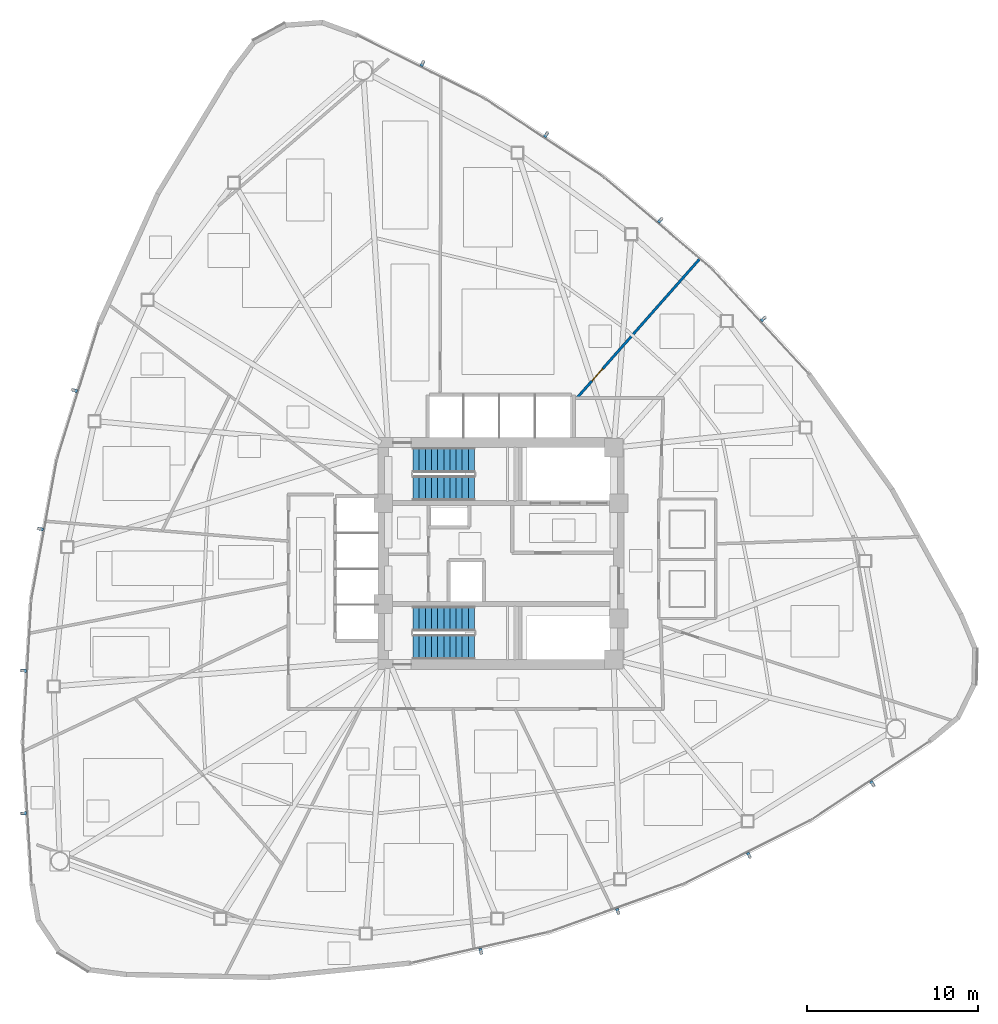
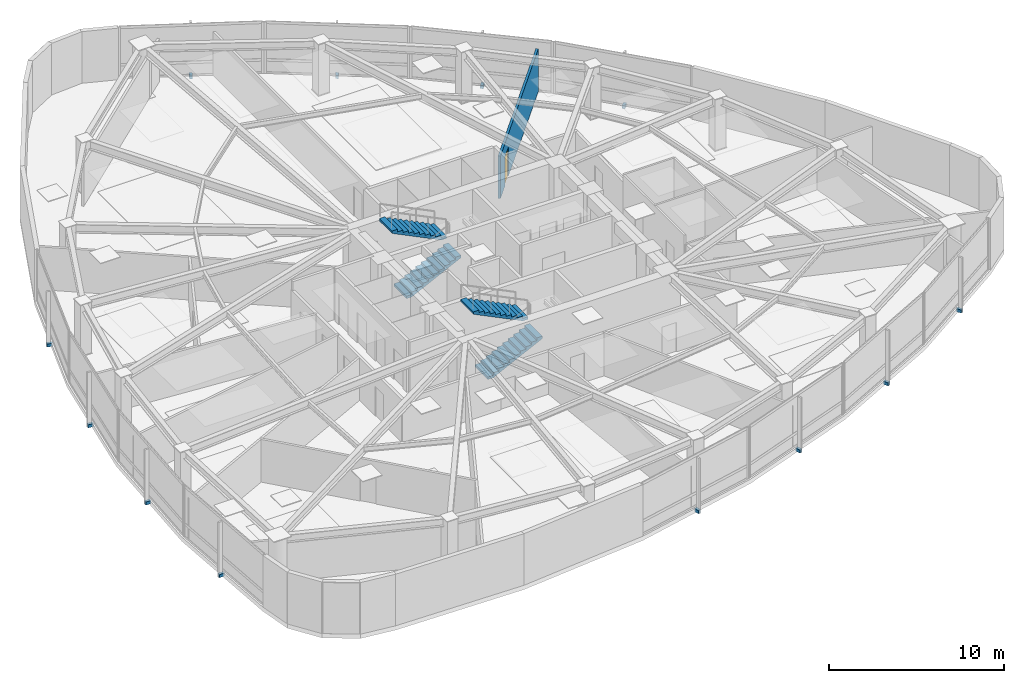
# One storey, part 13 of 17: 12 discrete accessories, 4 stair flights, 1 door, 1 wall, 1 opening, 2 elements without a shape of their own.
"""IFC4 building model written with IfcOpenShell, lengths in metres."""

from ifc_helpers import new_model, si_unit, direction, frame, frame_2d, origin, origin_2d, place, context, subcontext, project, spatial, polyline, rectangle, outline, extrude, source, transform, mapped, material, layer, layer_set, type_object, type_shapes, element, fill, aggregate, save


model = new_model("IFC4")

# Units and contexts
model_context = context("Model", 3, precision=1e-05, world=origin(), true_north=direction((0.0, 1.0)))
body_context = subcontext(model_context, "Body", "Model", "MODEL_VIEW")
ifc_project = project(units=[si_unit("LENGTHUNIT", "METRE"), si_unit("AREAUNIT", "SQUARE_METRE"), si_unit("VOLUMEUNIT", "CUBIC_METRE"), si_unit("PLANEANGLEUNIT", "RADIAN"), si_unit("MASSUNIT", "GRAM", prefix="KILO")], contexts=[model_context])

# Site, building, storey
site_placement = place(None, origin())
site = spatial("IfcSite", under=ifc_project, at=site_placement, CompositionType="ELEMENT")
building_placement = place(site_placement, origin())
building = spatial("IfcBuilding", under=site, at=building_placement, Name="Tavelor Broadcast Tower", CompositionType="ELEMENT")
storey_placement = place(building_placement, frame((0.0, 0.0, 93.89990234375)))
storey = spatial("IfcBuildingStorey", under=building, at=storey_placement, Name="L22", CompositionType="ELEMENT", Elevation=93.89990234375)

# Wall, opening, door
ifc_material_1 = material(Name="Gypsum Acoustic Plasterboard 150 mm", Category="gypsum")
ifc_layer = layer(ifc_material_1, 0.14990234375)
ifc_layer_set = layer_set([ifc_layer], Name="Gypsum Acoustic Plasterboard 150 mm")
wall_type = type_object("IfcWallType", Name="Interior Acoustic Partition Wall 150 mm", PredefinedType="PARTITIONING", material=ifc_layer_set)
wall_placement = place(storey_placement, frame((54.434814453125, 54.10009765625, 0.0), z_axis=(0.0, 0.0, 1.0), x_axis=(0.66187250297, 0.749616428457, 0.0)))
wall = element("IfcWall", 1, at=wall_placement, inside=storey, type_object=wall_type, Name="L22 Radial Compartment Wall 08", PredefinedType="PARTITIONING", context=body_context, shape_type="SweptSolid", body=[
    extrude(rectangle(XDim=10.909912109375, YDim=0.14990234375, at=frame_2d((5.455078125, 0.0))), origin(), (0.0, 0.0, 1.0), 2.97509765625),
])
opening_placement = place(wall_placement, frame((1.35009765625, 0.0, 0.0)))
opening = element("IfcOpeningElement", 2, at=opening_placement, cuts=wall, Name="Opening DR18", PredefinedType="OPENING", context=body_context, shape_type="SweptSolid", body=[
    extrude(rectangle(XDim=0.949951171875, YDim=2.050048828125, at=frame_2d((0.47509765625, 1.02490234375))), frame((0.0, 0.0849609375, 0.0), z_axis=(0.0, -1.0, 0.0), x_axis=(1.0, 0.0, 0.0)), (0.0, 0.0, 1.0), 0.169921875),
])
ifc_material_2 = material(Name="Timber Solid Core Hardwood", Category="wood")
door_type = type_object("IfcDoorType", Name="Corridor Rated Compartment Door 950x2050", OperationType="NOTDEFINED", PredefinedType="DOOR", material=ifc_material_2)
door_placement = place(opening_placement, origin())
door = element("IfcDoor", 3, at=door_placement, inside=storey, type_object=door_type, Name="L22 Suite Connecting Door 8", OperationType="SINGLE_SWING_LEFT", OverallHeight=2.050048828125, OverallWidth=0.949951171875, PredefinedType="DOOR", context=body_context, shape_type="SweptSolid", body=[
    extrude(rectangle(XDim=0.949951171875, YDim=2.050048828125, at=frame_2d((0.47509765625, 1.02490234375))), frame((0.0, 0.02490234375, 0.0), z_axis=(0.0, -1.0, 0.0), x_axis=(1.0, 0.0, 0.0)), (0.0, 0.0, 1.0), 0.050048828125),
])
fill(opening, door)

# Stair, stair flights
ifc_material_3 = material(Name="Concrete C40/50", Category="concrete")
stair_type = type_object("IfcStairType", Name="Reinforced Concrete Protected Dogleg Stair 1450 mm", PredefinedType="HALF_TURN_STAIR", material=ifc_material_3)
stair_1_placement = place(storey_placement, origin())
stair_1 = element("IfcStair", 4, at=stair_1_placement, inside=storey, type_object=stair_type, Name="L22 Protected Core Exit Stair ST1", PredefinedType="HALF_TURN_STAIR")
stair_flight_type = type_object("IfcStairFlightType", Name="Reinforced Concrete Stair Flight 1450 mm", PredefinedType="STRAIGHT", material=ifc_material_3)
stair_flight_1_placement = place(storey_placement, frame((44.85009765625, 48.824951171875, 0.0), z_axis=(0.0, 0.0, 1.0), x_axis=(1.0, 0.0, 0.0)))
stair_flight_1 = element("IfcStairFlight", 5, at=stair_flight_1_placement, type_object=stair_flight_type, Name="ST1 flight 1", NumberOfRisers=11, NumberOfTreads=10, PredefinedType="STRAIGHT", RiserHeight=0.177272727, TreadLength=0.36, context=body_context, shape_type="SweptSolid", body=[
    extrude(outline(polyline([(0.0, 0.0), (0.0, 0.17724609375), (0.360107421875, 0.17724609375), (0.360107421875, 0.3544921875), (0.719970703125, 0.3544921875), (0.719970703125, 0.53173828125), (1.080078125, 0.53173828125), (1.080078125, 0.708984375), (1.43994140625, 0.708984375), (1.43994140625, 0.886474609375), (1.800048828125, 0.886474609375), (1.800048828125, 1.063720703125), (2.159912109375, 1.063720703125), (2.159912109375, 1.240966796875), (2.52001953125, 1.240966796875), (2.52001953125, 1.418212890625), (2.8798828125, 1.418212890625), (2.8798828125, 1.595458984375), (3.239990234375, 1.595458984375), (3.239990234375, 1.772705078125), (3.60009765625, 1.772705078125), (3.60009765625, 1.949951171875), (3.60009765625, 1.605712890625), (0.33935546875, 0.0), (0.0, 0.0)])), frame((0.0, 0.72509765625, 0.0), z_axis=(0.0, -1.0, 0.0), x_axis=(1.0, 0.0, 0.0)), (0.0, 0.0, 1.0), 1.449951171875),
])
stair_flight_2_placement = place(storey_placement, frame((48.449951171875, 50.47509765625, 1.9501953125), z_axis=(0.0, 0.0, 1.0), x_axis=(-1.0, 0.0, 0.0)))
stair_flight_2 = element("IfcStairFlight", 6, at=stair_flight_2_placement, type_object=stair_flight_type, Name="ST1 flight 2", NumberOfRisers=11, NumberOfTreads=10, PredefinedType="STRAIGHT", RiserHeight=0.177272727, TreadLength=0.36, context=body_context, shape_type="SweptSolid", body=[
    extrude(outline(polyline([(0.0, 0.0), (0.0, 0.17724609375), (0.360107421875, 0.17724609375), (0.360107421875, 0.3544921875), (0.719970703125, 0.3544921875), (0.719970703125, 0.53173828125), (1.080078125, 0.53173828125), (1.080078125, 0.708984375), (1.43994140625, 0.708984375), (1.43994140625, 0.886474609375), (1.800048828125, 0.886474609375), (1.800048828125, 1.063720703125), (2.159912109375, 1.063720703125), (2.159912109375, 1.240966796875), (2.52001953125, 1.240966796875), (2.52001953125, 1.418212890625), (2.8798828125, 1.418212890625), (2.8798828125, 1.595458984375), (3.239990234375, 1.595458984375), (3.239990234375, 1.772705078125), (3.60009765625, 1.772705078125), (3.60009765625, 1.949951171875), (3.60009765625, 1.605712890625), (0.33935546875, 0.0), (0.0, 0.0)])), frame((0.0, 0.72509765625, 0.0), z_axis=(0.0, -1.0, 0.0), x_axis=(1.0, 0.0, 0.0)), (0.0, 0.0, 1.0), 1.449951171875),
])
aggregate(stair_1, [stair_flight_1, stair_flight_2])

stair_2_placement = place(storey_placement, origin())
stair_2 = element("IfcStair", 7, at=stair_2_placement, inside=storey, type_object=stair_type, Name="L22 Protected Core Exit Stair ST2", PredefinedType="HALF_TURN_STAIR")
stair_flight_3_placement = place(storey_placement, frame((44.85009765625, 39.52490234375, 0.0), z_axis=(0.0, 0.0, 1.0), x_axis=(1.0, 0.0, 0.0)))
stair_flight_3 = element("IfcStairFlight", 8, at=stair_flight_3_placement, type_object=stair_flight_type, Name="ST2 flight 1", NumberOfRisers=11, NumberOfTreads=10, PredefinedType="STRAIGHT", RiserHeight=0.177272727, TreadLength=0.36, context=body_context, shape_type="SweptSolid", body=[
    extrude(outline(polyline([(0.0, 0.0), (0.0, 0.17724609375), (0.360107421875, 0.17724609375), (0.360107421875, 0.3544921875), (0.719970703125, 0.3544921875), (0.719970703125, 0.53173828125), (1.080078125, 0.53173828125), (1.080078125, 0.708984375), (1.43994140625, 0.708984375), (1.43994140625, 0.886474609375), (1.800048828125, 0.886474609375), (1.800048828125, 1.063720703125), (2.159912109375, 1.063720703125), (2.159912109375, 1.240966796875), (2.52001953125, 1.240966796875), (2.52001953125, 1.418212890625), (2.8798828125, 1.418212890625), (2.8798828125, 1.595458984375), (3.239990234375, 1.595458984375), (3.239990234375, 1.772705078125), (3.60009765625, 1.772705078125), (3.60009765625, 1.949951171875), (3.60009765625, 1.605712890625), (0.33935546875, 0.0), (0.0, 0.0)])), frame((0.0, 0.72509765625, 0.0), z_axis=(0.0, -1.0, 0.0), x_axis=(1.0, 0.0, 0.0)), (0.0, 0.0, 1.0), 1.449951171875),
])
stair_flight_4_placement = place(storey_placement, frame((48.449951171875, 41.175048828125, 1.9501953125), z_axis=(0.0, 0.0, 1.0), x_axis=(-1.0, 0.0, 0.0)))
stair_flight_4 = element("IfcStairFlight", 9, at=stair_flight_4_placement, type_object=stair_flight_type, Name="ST2 flight 2", NumberOfRisers=11, NumberOfTreads=10, PredefinedType="STRAIGHT", RiserHeight=0.177272727, TreadLength=0.36, context=body_context, shape_type="SweptSolid", body=[
    extrude(outline(polyline([(0.0, 0.0), (0.0, 0.17724609375), (0.360107421875, 0.17724609375), (0.360107421875, 0.3544921875), (0.719970703125, 0.3544921875), (0.719970703125, 0.53173828125), (1.080078125, 0.53173828125), (1.080078125, 0.708984375), (1.43994140625, 0.708984375), (1.43994140625, 0.886474609375), (1.800048828125, 0.886474609375), (1.800048828125, 1.063720703125), (2.159912109375, 1.063720703125), (2.159912109375, 1.240966796875), (2.52001953125, 1.240966796875), (2.52001953125, 1.418212890625), (2.8798828125, 1.418212890625), (2.8798828125, 1.595458984375), (3.239990234375, 1.595458984375), (3.239990234375, 1.772705078125), (3.60009765625, 1.772705078125), (3.60009765625, 1.949951171875), (3.60009765625, 1.605712890625), (0.33935546875, 0.0), (0.0, 0.0)])), frame((0.0, 0.72509765625, 0.0), z_axis=(0.0, -1.0, 0.0), x_axis=(1.0, 0.0, 0.0)), (0.0, 0.0, 1.0), 1.449951171875),
])
aggregate(stair_2, [stair_flight_3, stair_flight_4])

# Discrete accessories
ifc_material_4 = material(Name="Steel S355", Category="steel")
discrete_accessory_type = type_object("IfcDiscreteAccessoryType", Name="Stainless Baguette Outrigger Support Bracket 260x180", PredefinedType="BRACKET", material=ifc_material_4)
shared_shape = source(origin(), body_context, "Body", "SweptSolid", [
    extrude(rectangle(XDim=0.179931640625, YDim=0.340087890625, at=origin_2d()), origin(), (0.0, 0.0, 1.0), 0.216064453125),
])
type_shapes(discrete_accessory_type, [shared_shape])
for number, where, z_axis, x_axis, name in (
    (10, (25.01806640625, 54.555419921875, -0.2578125), (0.0, 0.0, 1.0), (-0.296874921752, -0.954916373739, 0.0), "L22 Baguette Outrigger Bracket 217"),
    (11, (23.024169921875, 46.438232421875, -0.2578125), (0.0, 0.0, 1.0), (-0.179317351584, -0.983791282448, 0.0), "L22 Baguette Outrigger Bracket 218"),
    (12, (22.02734375, 38.1396484375, -0.2578125), (0.0, 0.0, 1.0), (-0.058783688319, -0.99827074383, 0.0), "L22 Baguette Outrigger Bracket 219"),
    (13, (22.042236328125, 29.781494140625, -0.2578125), (0.0, 0.0, 1.0), (0.062442138662, -0.998048585651, 0.0), "L22 Baguette Outrigger Bracket 220"),
    (14, (48.81591796875, 21.704833984375, -0.2578125), (0.0, 0.0, 1.0), (0.975457743712, 0.220186716747, 0.0), "L22 Baguette Outrigger Bracket 221"),
    (15, (56.84228515625, 24.036865234375, -0.2578125), (0.0, 0.0, 1.0), (0.941588155895, 0.336766602676, 0.0), "L22 Baguette Outrigger Bracket 222"),
    (16, (64.527587890625, 27.322998046875, -0.2578125), (0.0, 0.0, 1.0), (0.893919668171, 0.448227204503, 0.0), "L22 Baguette Outrigger Bracket 223"),
    (17, (71.758544921875, 31.514892578125, -0.2578125), (0.0, 0.0, 1.0), (0.833114360053, 0.553100771174, 0.0), "L22 Baguette Outrigger Bracket 224"),
    (18, (65.3662109375, 58.73974609375, -0.2578125), (0.0, 0.0, 1.0), (-0.678544377272, 0.734559410853, 0.0), "L22 Baguette Outrigger Bracket 225"),
    (19, (59.33349609375, 64.52490234375, -0.2578125), (0.0, 0.0, 1.0), (-0.762442511011, 0.647055961569, 0.0), "L22 Baguette Outrigger Bracket 226"),
    (20, (52.64501953125, 69.53759765625, -0.2578125), (0.0, 0.0, 1.0), (-0.835135979853, 0.550043539327, 0.0), "L22 Baguette Outrigger Bracket 227"),
    (21, (45.3994140625, 73.703857421875, -0.2578125), (0.0, 0.0, 1.0), (-0.895556498716, 0.444947814477, 0.0), "L22 Baguette Outrigger Bracket 228"),
):
    element("IfcDiscreteAccessory", number, at=place(storey_placement, frame(where, z_axis=z_axis, x_axis=x_axis)), inside=storey, type_object=discrete_accessory_type, Name=name, PredefinedType="BRACKET", context=body_context, shape_type="MappedRepresentation", body=[
        mapped(shared_shape, transform((0.0, 0.0, 0.0), scale=1.0)),
    ])

save(model, "model.ifc")
